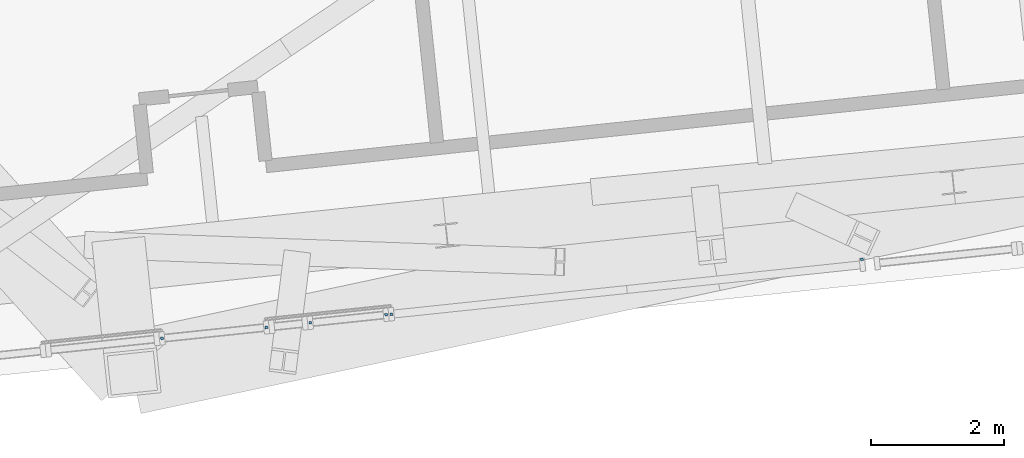
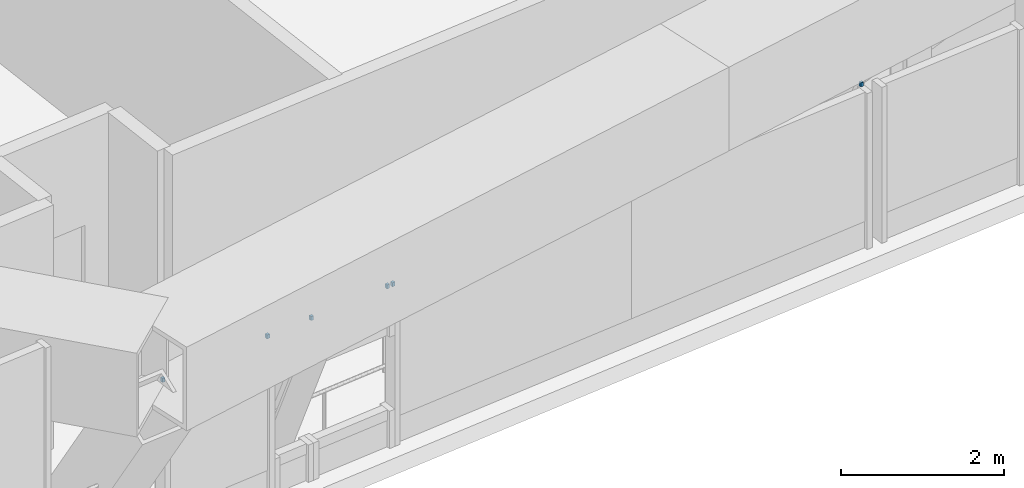
# One storey, part 18 of 23: 6 discrete accessories.
"""IFC4 building model written with IfcOpenShell, lengths in metres."""

from ifc_helpers import new_model, si_unit, direction, frame, origin, origin_2d, place, context, subcontext, project, spatial, rectangle, extrude, source, transform, mapped, material, element, save


model = new_model("IFC4")

# Units and contexts
model_context = context("Model", 3, precision=1e-05, world=origin(), true_north=direction((0.0, 1.0)))
body_context = subcontext(model_context, "Body", "Model", "MODEL_VIEW")
ifc_project = project(units=[si_unit("LENGTHUNIT", "METRE"), si_unit("AREAUNIT", "SQUARE_METRE"), si_unit("VOLUMEUNIT", "CUBIC_METRE"), si_unit("PLANEANGLEUNIT", "RADIAN"), si_unit("MASSUNIT", "GRAM", prefix="KILO")], contexts=[model_context])

# Site, building, storey
site_placement = place(None, origin())
site = spatial("IfcSite", under=ifc_project, at=site_placement, CompositionType="ELEMENT")
building_placement = place(site_placement, origin())
building = spatial("IfcBuilding", under=site, at=building_placement, Name="Triune Harvest Tower", CompositionType="ELEMENT")
storey_placement = place(building_placement, frame((0.0, 0.0, 255.699951171875)))
storey = spatial("IfcBuildingStorey", under=building, at=storey_placement, Name="L67", CompositionType="ELEMENT", Elevation=255.699951171875)

# Discrete accessories
ifc_material = material(Name="Steel ASTM A992 Gr 50", Category="steel")
shared_shape = source(origin(), body_context, "Body", "SweptSolid", [
    extrude(rectangle(XDim=0.0400390625, YDim=0.0400390625, at=origin_2d()), origin(), (0.0, 0.0, 1.0), 0.06005859375),
])
for number, where, z_axis, x_axis, name in (
    (1, (-17.59130859375, -21.962646484375, 2.330078125), (0.0, 0.0, 1.0), (0.994517698526, 0.104568385851, 0.0), "Mullion end bracket B6-F5 L67.201 upper"),
    (2, (-16.01708984375, -21.797119140625, 2.330078125), (0.0, 0.0, 1.0), (0.994517698526, 0.104568385851, 0.0), "Mullion end bracket B6-F5 L67.201 upper"),
    (3, (-15.356201171875, -21.7275390625, 2.330078125), (0.0, 0.0, 1.0), (0.994526455336, 0.104485068964, 0.0), "Mullion end bracket B6-F5 L67.501 upper"),
    (4, (-14.212890625, -21.607421875, 2.330078125), (0.0, 0.0, 1.0), (0.994526455336, 0.104485068964, 0.0), "Mullion end bracket B6-F5 L67.501 upper"),
    (5, (-14.13330078125, -21.59912109375, 2.330078125), (0.0, 0.0, 1.0), (0.994521348045, 0.104533670571, 0.0), "Mullion end bracket B6-F5 L67.601 upper"),
    (6, (-7.0361328125, -20.772705078125, 2.330078125), (0.0, 0.0, 1.0), (0.994521348045, 0.104533670571, 0.0), "Mullion end bracket B6-F5 L67.601 upper"),
):
    element("IfcDiscreteAccessory", number, at=place(storey_placement, frame(where, z_axis=z_axis, x_axis=x_axis)), inside=storey, material=ifc_material, Name=name, ObjectType="BRACKET", PredefinedType="USERDEFINED", context=body_context, shape_type="MappedRepresentation", body=[
        mapped(shared_shape, transform((0.0, 0.0, 0.0), scale=1.0)),
    ])

save(model, "model.ifc")
